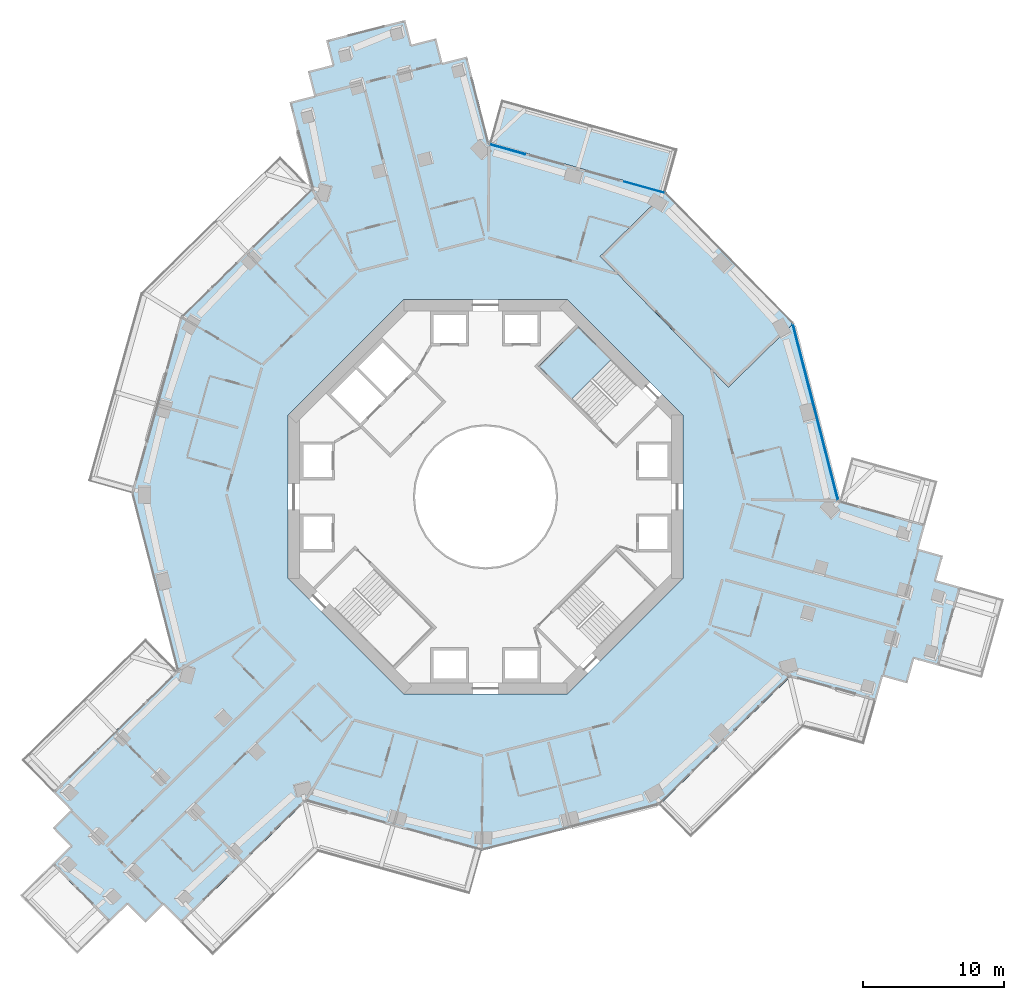
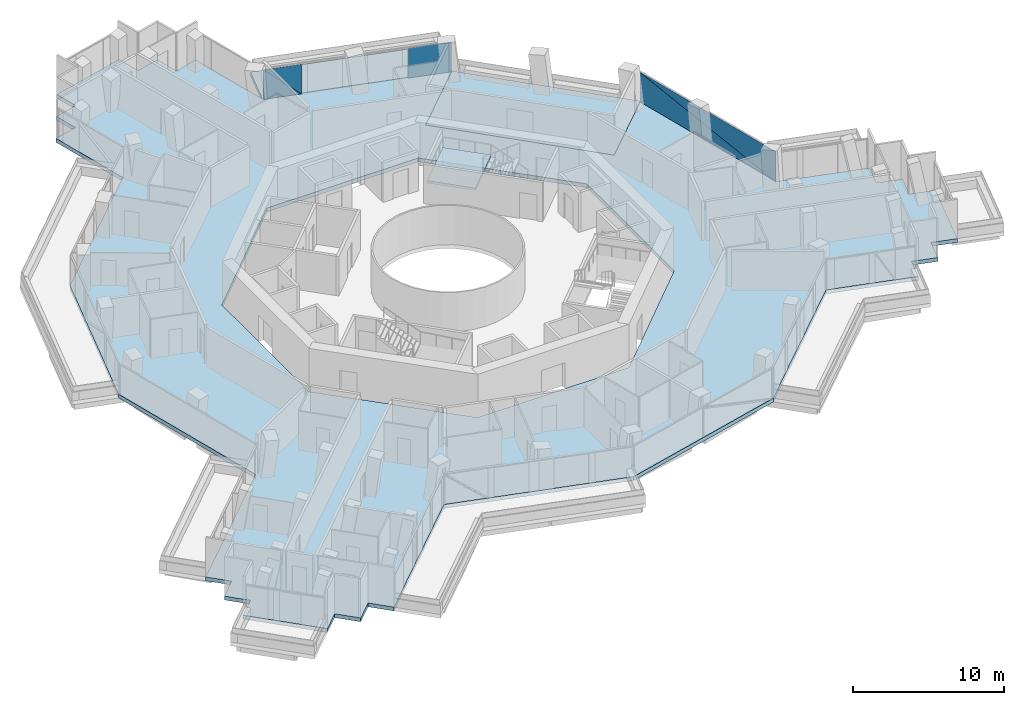
# One storey, part 16 of 26: 5 plates, 4 slabs, 3 elements without a shape of their own.
"""IFC4 building model written with IfcOpenShell, lengths in metres."""

from ifc_helpers import new_model, si_unit, direction, frame, origin, origin_2d, place, context, subcontext, project, spatial, polyline, rectangle, outline, extrude, material, layer, layer_set, type_object, element, aggregate, save


model = new_model("IFC4")

# Units and contexts
model_context = context("Model", 3, precision=1e-05, world=origin(), true_north=direction((0.0, 1.0)))
body_context = subcontext(model_context, "Body", "Model", "MODEL_VIEW")
ifc_project = project(units=[si_unit("LENGTHUNIT", "METRE"), si_unit("AREAUNIT", "SQUARE_METRE"), si_unit("VOLUMEUNIT", "CUBIC_METRE"), si_unit("PLANEANGLEUNIT", "RADIAN"), si_unit("MASSUNIT", "GRAM", prefix="KILO")], contexts=[model_context])

# Site, building, storey
site_placement = place(None, origin())
site = spatial("IfcSite", under=ifc_project, at=site_placement, CompositionType="ELEMENT")
building_placement = place(site_placement, origin())
building = spatial("IfcBuilding", under=site, at=building_placement, Name="Verdalira Terraces Hotel", CompositionType="ELEMENT")
storey_placement = place(building_placement, frame((0.0, 0.0, 93.0)))
storey = spatial("IfcBuildingStorey", under=building, at=storey_placement, Name="L21", CompositionType="ELEMENT", Elevation=93.0)

# Slab
ifc_material_1 = material(Name="Precast concrete C40/50", Category="concrete")
ifc_layer_1 = layer(ifc_material_1, 0.31005859375)
ifc_layer_set_1 = layer_set([ifc_layer_1], Name="Balcony deck 310")
slab_type_1 = type_object("IfcSlabType", Name="Balcony deck 310", PredefinedType="FLOOR", material=ifc_layer_set_1)
slab_1_placement = place(storey_placement, frame((0.0, 0.0, -0.310059)))
element("IfcSlab", 1, at=slab_1_placement, inside=storey, type_object=slab_type_1, Name="Balcony deck", PredefinedType="FLOOR", context=body_context, shape_type="SweptSolid", body=[
    extrude(outline(polyline([(1.123535, 28.194824), (0.262939, 25.112793), (12.78418, 21.616699), (13.644531, 24.698975), (1.123535, 28.194824)])), origin(), (0.0, 0.0, 1.0), 0.310059),
])

# Curtain wall, plates
ifc_material_2 = material(Name="Clear glass", Category="glass")
ifc_layer_2 = layer(ifc_material_2, 0.14990234375)
ifc_layer_set_2 = layer_set([ifc_layer_2], Name="CW1 curtain wall")
curtain_wall_type = type_object("IfcCurtainWallType", Name="CW1 curtain wall", PredefinedType="NOTDEFINED", material=ifc_layer_set_2)
curtain_wall_1_placement = place(storey_placement, origin())
curtain_wall_1 = element("IfcCurtainWall", 2, at=curtain_wall_1_placement, inside=storey, type_object=curtain_wall_type, Name="CW1 curtain wall L21 edge 39", PredefinedType="NOTDEFINED")
ifc_material_3 = material(Name="Clear glass", Category="glass")
ifc_layer_3 = layer(ifc_material_3, 0.028076171875)
ifc_layer_set_3 = layer_set([ifc_layer_3], Name="CW1 glass unit 28")
plate_type = type_object("IfcPlateType", Name="CW1 glass unit 28", PredefinedType="CURTAIN_PANEL", material=ifc_layer_set_3)
plate_1_placement = place(storey_placement, frame((23.409912, 6.010742, 1.212402), z_axis=(0.968583161, 0.248689887, 0.0), x_axis=(-0.248689887, 0.968583161, 0.0)))
plate_1 = element("IfcPlate", 3, at=plate_1_placement, type_object=plate_type, Name="CW1 glass unit", PredefinedType="CURTAIN_PANEL", context=body_context, shape_type="SweptSolid", body=[
    extrude(outline(polyline([(-6.439941, -1.212402), (6.439941, -1.212402), (6.439941, 1.212402), (-6.439941, -1.212402)])), origin(), (0.0, 0.0, 1.0), 0.028076),
])
plate_2_placement = place(storey_placement, frame((23.381836, 6.003418, 1.212402), z_axis=(0.968583161, 0.248689887, 0.0), x_axis=(-0.248689887, 0.968583161, 0.0)))
plate_2 = element("IfcPlate", 4, at=plate_2_placement, type_object=plate_type, Name="CW1 glass unit", PredefinedType="CURTAIN_PANEL", context=body_context, shape_type="SweptSolid", body=[
    extrude(outline(polyline([(-6.439941, -1.212402), (6.439941, 1.212402), (-6.439941, 1.212402), (-6.439941, -1.212402)])), origin(), (0.0, 0.0, 1.0), 0.028076),
])
aggregate(curtain_wall_1, [plate_1, plate_2])

curtain_wall_2_placement = place(storey_placement, origin())
curtain_wall_2 = element("IfcCurtainWall", 5, at=curtain_wall_2_placement, inside=storey, type_object=curtain_wall_type, Name="CW1 curtain wall L21 edge 41", PredefinedType="NOTDEFINED")
plate_3_placement = place(storey_placement, frame((11.27832, 21.959229, 0.0), z_axis=(0.0, 0.0, 1.0), x_axis=(-0.963162567, 0.268919821, 0.0)))
plate_3 = element("IfcPlate", 6, at=plate_3_placement, type_object=plate_type, Name="CW1 glass unit", PredefinedType="CURTAIN_PANEL", context=body_context, shape_type="SweptSolid", body=[
    extrude(rectangle(XDim=2.965088, YDim=0.028076, at=origin_2d()), origin(), (0.0, 0.0, 1.0), 2.425049),
])
plate_4_placement = place(storey_placement, frame((1.55127, 24.660645, 1.212402), z_axis=(0.268919821, 0.963162567, 0.0), x_axis=(-0.963162567, 0.268919821, 0.0)))
plate_4 = element("IfcPlate", 7, at=plate_4_placement, type_object=plate_type, Name="CW1 glass unit", PredefinedType="CURTAIN_PANEL", context=body_context, shape_type="SweptSolid", body=[
    extrude(outline(polyline([(-1.302246, -1.212402), (1.302246, -1.212402), (1.302246, 1.212402), (-1.302246, -1.212402)])), origin(), (0.0, 0.0, 1.0), 0.028076),
])
plate_5_placement = place(storey_placement, frame((1.543457, 24.632568, 1.212402), z_axis=(0.268919821, 0.963162567, 0.0), x_axis=(-0.963162567, 0.268919821, 0.0)))
plate_5 = element("IfcPlate", 8, at=plate_5_placement, type_object=plate_type, Name="CW1 glass unit", PredefinedType="CURTAIN_PANEL", context=body_context, shape_type="SweptSolid", body=[
    extrude(outline(polyline([(-1.302246, -1.212402), (1.302246, 1.212402), (-1.302246, 1.212402), (-1.302246, -1.212402)])), origin(), (0.0, 0.0, 1.0), 0.028076),
])
aggregate(curtain_wall_2, [plate_3, plate_4, plate_5])

# Stair, slab
ifc_material_4 = material(Name="Concrete C40", Category="concrete")
stair_type = type_object("IfcStairType", Name="Core stair 20 risers 1950 mm wide", PredefinedType="HALF_TURN_STAIR", material=ifc_material_4)
stair_placement = place(storey_placement, origin())
stair = element("IfcStair", 9, at=stair_placement, inside=storey, type_object=stair_type, Name="L21 Exit stair ST1", PredefinedType="HALF_TURN_STAIR")
ifc_material_5 = material(Name="Concrete C40", Category="concrete")
ifc_layer_4 = layer(ifc_material_5, 0.199951171875)
ifc_layer_set_4 = layer_set([ifc_layer_4], Name="Core stair landing 200 mm")
slab_type_2 = type_object("IfcSlabType", Name="Core stair landing 200 mm", PredefinedType="LANDING", material=ifc_layer_set_4)
slab_2_placement = place(storey_placement, frame((0.0, 0.0, 1.550049)))
slab_2 = element("IfcSlab", 10, at=slab_2_placement, type_object=slab_type_2, Name="ST1 landing 1", PredefinedType="LANDING", context=body_context, shape_type="SweptSolid", body=[
    extrude(outline(polyline([(8.931152, 9.736572), (6.576172, 12.091553), (3.747559, 9.263184), (6.102783, 6.907959), (8.931152, 9.736572)])), origin(), (0.0, 0.0, 1.0), 0.199951),
])
aggregate(stair, [slab_2])

# Slabs
ifc_material_6 = material(Name="Concrete C40", Category="concrete")
ifc_layer_5 = layer(ifc_material_6, 0.31005859375)
ifc_layer_set_5 = layer_set([ifc_layer_5], Name="Floor slab 310 C40")
slab_type_3 = type_object("IfcSlabType", Name="Floor slab 310 C40", PredefinedType="FLOOR", material=ifc_layer_set_5)
slab_3_placement = place(storey_placement, frame((0.0, 0.0, -0.310059)))
element("IfcSlab", 11, at=slab_3_placement, inside=storey, type_object=slab_type_3, Name="Floor slab L21", PredefinedType="FLOOR", context=body_context, shape_type="SweptSolid", body=[
    extrude(outline(polyline([(31.203613, -1.963623), (25.112793, -0.262939), (21.879883, 12.327881), (17.235596, 7.780029), (8.139404, 17.068848), (12.783447, 21.616943), (0.262939, 25.112793), (-1.309814, 31.238037), (-3.053223, 30.790283), (-3.500732, 32.533691), (-5.244385, 32.086182), (-5.691895, 33.82959), (-11.309814, 32.387207), (-10.862061, 30.643799), (-12.605469, 30.196045), (-12.157959, 28.452637), (-13.901367, 28.004883), (-12.328613, 21.879639), (-21.616699, 12.78418), (-25.112793, 0.262939), (-21.879639, -12.328613), (-30.684814, -20.951172), (-29.425537, -22.237305), (-30.711426, -23.496582), (-29.452148, -24.782715), (-30.738281, -26.041992), (-26.680176, -30.186035), (-25.394043, -28.926758), (-24.134766, -30.212646), (-22.848633, -28.953369), (-21.589355, -30.239502), (-12.78418, -21.616699), (-0.262939, -25.112793), (12.328613, -21.879639), (21.616699, -12.78418), (27.707764, -14.484619), (28.191895, -12.751221), (29.925537, -13.235107), (30.409668, -11.501465), (32.143311, -11.985596), (33.702881, -6.39917), (31.969238, -5.915039), (32.453369, -4.181396), (30.719727, -3.697266), (31.203613, -1.963623)]), holes=[polyline([(5.799072, 14.0), (14.0, 5.799072), (14.0, -5.799072), (5.799072, -14.0), (-5.799072, -14.0), (-14.0, -5.799072), (-14.0, 5.799072), (-5.799072, 14.0), (5.799072, 14.0)])]), origin(), (0.0, 0.0, 1.0), 0.310059),
])
ifc_material_7 = material(Name="Concrete C40", Category="concrete")
ifc_layer_6 = layer(ifc_material_7, 0.31005859375)
ifc_layer_set_6 = layer_set([ifc_layer_6], Name="Loggia floor deck 310 C40")
slab_type_4 = type_object("IfcSlabType", Name="Loggia floor deck 310 C40", PredefinedType="FLOOR", material=ifc_layer_set_6)
slab_4_placement = place(storey_placement, frame((0.0, 0.0, -0.310059)))
element("IfcSlab", 12, at=slab_4_placement, inside=storey, type_object=slab_type_4, Name="Loggia deck L21", PredefinedType="FLOOR", context=body_context, shape_type="SweptSolid", body=[
    extrude(outline(polyline([(17.235596, 7.780762), (21.879639, 12.328613), (12.78418, 21.616699), (8.139893, 17.068848), (17.235596, 7.780762)])), origin(), (0.0, 0.0, 1.0), 0.310059),
])

save(model, "model.ifc")
